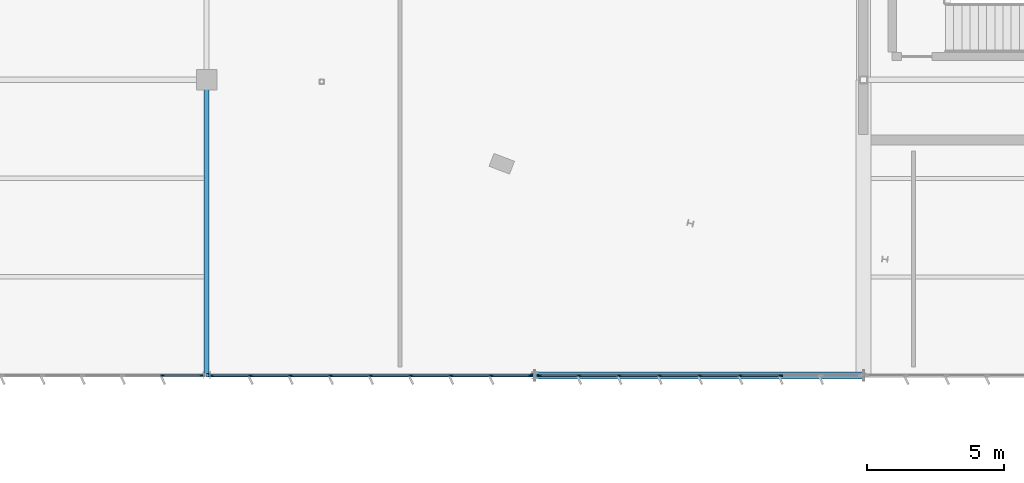
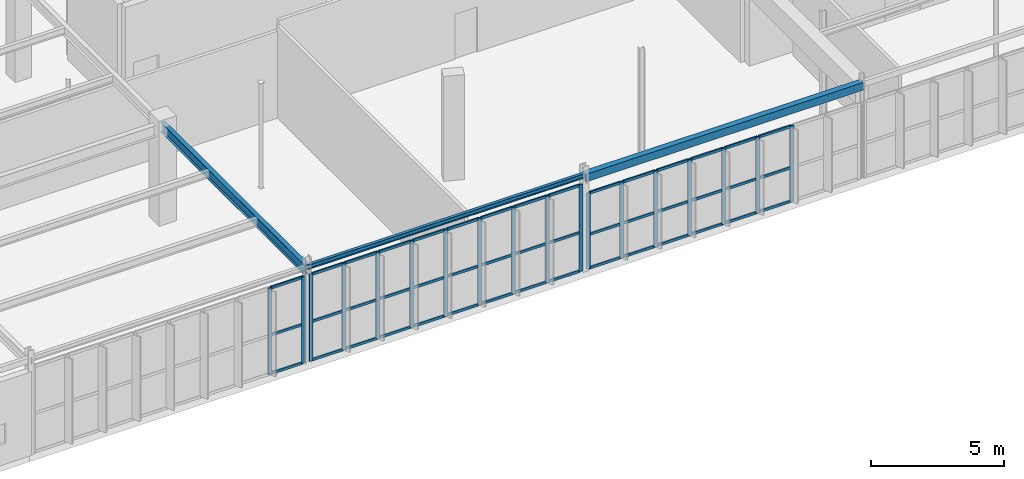
# One storey, part 71 of 199: 63 members, 3 beams, 3 elements without a shape of their own.
"""IFC4 building model written with IfcOpenShell, lengths in metres."""

from ifc_helpers import new_model, si_unit, direction, frame, origin, origin_2d, place, context, subcontext, project, spatial, rectangle, hollow_rectangle, i_section, extrude, material, layer, layer_set, material_profile, profile_set, type_object, element, aggregate, save


model = new_model("IFC4")

# Units and contexts
model_context = context("Model", 3, precision=1e-05, world=origin(), true_north=direction((0.0, 1.0)))
body_context = subcontext(model_context, "Body", "Model", "MODEL_VIEW")
ifc_project = project(units=[si_unit("LENGTHUNIT", "METRE"), si_unit("AREAUNIT", "SQUARE_METRE"), si_unit("VOLUMEUNIT", "CUBIC_METRE"), si_unit("PLANEANGLEUNIT", "RADIAN"), si_unit("MASSUNIT", "GRAM", prefix="KILO")], contexts=[model_context])

# Site, building, storey
site_placement = place(None, origin())
site = spatial("IfcSite", under=ifc_project, at=site_placement, CompositionType="ELEMENT")
building_placement = place(site_placement, origin())
building = spatial("IfcBuilding", under=site, at=building_placement, Name="Tarnwether General Hospital", CompositionType="ELEMENT")
storey_placement = place(building_placement, origin())
storey = spatial("IfcBuildingStorey", under=building, at=storey_placement, Name="L00", CompositionType="ELEMENT", Elevation=0.0)

# Beams
ifc_material_1 = material(Name="Steel Grade 350 (350 MPa)", Category="steel")
ifc_material_profile_1 = material_profile(ifc_material_1, i_section(OverallWidth=0.18994140625, OverallDepth=0.45703125, WebThickness=0.009033203125, FlangeThickness=0.014404296875, at=origin_2d()), Name="460UB74.6")
ifc_profile_set_1 = profile_set([ifc_material_profile_1], Name="Steel Grade 350 (350 MPa)")
beam_type_1 = type_object("IfcBeamType", Name="BM-G09", PredefinedType="BEAM", material=ifc_profile_set_1)
beam_1_placement = place(storey_placement, frame((60.0, 0.0, 4.216552734375), z_axis=(0.0, 1.0, 0.0), x_axis=(-1.0, 0.0, 0.0)))
element("IfcBeam", 1, at=beam_1_placement, inside=storey, type_object=beam_type_1, Name="Primary Girder BMG-L00-6000_0-6000_1080-0693", PredefinedType="BEAM", context=body_context, shape_type="SweptSolid", body=[
    extrude(i_section(OverallWidth=0.18994140625, OverallDepth=0.45703125, WebThickness=0.009033203125, FlangeThickness=0.014404296875, at=origin_2d()), origin(), (0.0, 0.0, 1.0), 10.800048828125),
])
ifc_material_2 = material(Name="Steel Grade 350 (350 MPa)", Category="steel")
ifc_material_profile_2 = material_profile(ifc_material_2, i_section(OverallWidth=0.133056640625, OverallDepth=0.201904296875, WebThickness=0.0048828125, FlangeThickness=0.007080078125, at=origin_2d()), Name="200UB22.3")
ifc_profile_set_2 = profile_set([ifc_material_profile_2], Name="Steel Grade 350 (350 MPa)")
beam_type_2 = type_object("IfcBeamType", Name="BM-SP6", PredefinedType="SPANDREL", material=ifc_profile_set_2)
beam_2_placement = place(storey_placement, frame((60.0, 0.0, 4.343994140625), z_axis=(1.0, 0.0, 0.0), x_axis=(0.0, 1.0, 0.0)))
element("IfcBeam", 2, at=beam_2_placement, inside=storey, type_object=beam_type_2, Name="Primary Girder BMG-L00-6000_0-7200_0-0692", PredefinedType="SPANDREL", context=body_context, shape_type="SweptSolid", body=[
    extrude(i_section(OverallWidth=0.133056640625, OverallDepth=0.201904296875, WebThickness=0.0048828125, FlangeThickness=0.007080078125, at=origin_2d()), origin(), (0.0, 0.0, 1.0), 12.0),
])
ifc_material_3 = material(Name="Steel Grade C350L0 (350 MPa)", Category="steel")
ifc_material_profile_3 = material_profile(ifc_material_3, hollow_rectangle(XDim=0.25, YDim=0.35009765625, WallThickness=0.012451171875, at=origin_2d()), Name="RHS350x250x12.5")
ifc_profile_set_3 = profile_set([ifc_material_profile_3], Name="Steel Grade C350L0 (350 MPa)")
beam_type_3 = type_object("IfcBeamType", Name="BM-SP7", PredefinedType="SPANDREL", material=ifc_profile_set_3)
beam_3_placement = place(storey_placement, frame((72.0, 0.0, 4.27001953125), z_axis=(1.0, 0.0, 0.0), x_axis=(0.0, 1.0, 0.0)))
element("IfcBeam", 3, at=beam_3_placement, inside=storey, type_object=beam_type_3, Name="Primary Girder BMG-L00-7200_0-8400_0-0709", PredefinedType="SPANDREL", context=body_context, shape_type="SweptSolid", body=[
    extrude(hollow_rectangle(XDim=0.25, YDim=0.35009765625, WallThickness=0.012451171875, at=origin_2d()), origin(), (0.0, 0.0, 1.0), 12.0),
])

# Curtain wall, members
ifc_material_4 = material(Name="Anodised aluminium", Category="aluminium")
ifc_layer = layer(ifc_material_4, 0.159912109375)
ifc_layer_set = layer_set([ifc_layer], Name="Anodised aluminium")
curtain_wall_type = type_object("IfcCurtainWallType", Name="CW-13", PredefinedType="NOTDEFINED", material=ifc_layer_set)
curtain_wall_1_placement = place(storey_placement, origin())
curtain_wall_1 = element("IfcCurtainWall", 4, at=curtain_wall_1_placement, inside=storey, type_object=curtain_wall_type, Name="Curtain Wall CWG-L00-839_0-0281", PredefinedType="NOTDEFINED")
ifc_material_5 = material(Name="Anodised aluminium", Category="aluminium")
ifc_material_profile_4 = material_profile(ifc_material_5, rectangle(XDim=0.06005859375, YDim=0.159912109375, at=origin_2d()), Name="ALU-MUL-60x160")
ifc_profile_set_4 = profile_set([ifc_material_profile_4], Name="Anodised aluminium")
member_type_1 = type_object("IfcMemberType", Name="CW-ML1", PredefinedType="MULLION", material=ifc_profile_set_4)
member_1_placement = place(storey_placement, frame((80.970703125, 0.0, 0.0), z_axis=(0.0, 0.0, 1.0), x_axis=(0.0, -1.0, 0.0)))
member_1 = element("IfcMember", 5, at=member_1_placement, type_object=member_type_1, Name="CW-13 mullion 3", PredefinedType="MULLION", context=body_context, shape_type="SweptSolid", body=[
    extrude(rectangle(XDim=0.06005859375, YDim=0.159912109375, at=origin_2d()), origin(), (0.0, 0.0, 1.0), 3.47998046875),
])
member_2_placement = place(storey_placement, frame((79.498046875, 0.0, 0.0), z_axis=(0.0, 0.0, 1.0), x_axis=(0.0, -1.0, 0.0)))
member_2 = element("IfcMember", 6, at=member_2_placement, type_object=member_type_1, Name="CW-13 mullion 4", PredefinedType="MULLION", context=body_context, shape_type="SweptSolid", body=[
    extrude(rectangle(XDim=0.06005859375, YDim=0.159912109375, at=origin_2d()), origin(), (0.0, 0.0, 1.0), 3.47998046875),
])
member_3_placement = place(storey_placement, frame((78.025390625, 0.0, 0.0), z_axis=(0.0, 0.0, 1.0), x_axis=(0.0, -1.0, 0.0)))
member_3 = element("IfcMember", 7, at=member_3_placement, type_object=member_type_1, Name="CW-13 mullion 5", PredefinedType="MULLION", context=body_context, shape_type="SweptSolid", body=[
    extrude(rectangle(XDim=0.06005859375, YDim=0.159912109375, at=origin_2d()), origin(), (0.0, 0.0, 1.0), 3.47998046875),
])
member_4_placement = place(storey_placement, frame((76.552978515625, 0.0, 0.0), z_axis=(0.0, 0.0, 1.0), x_axis=(0.0, -1.0, 0.0)))
member_4 = element("IfcMember", 8, at=member_4_placement, type_object=member_type_1, Name="CW-13 mullion 6", PredefinedType="MULLION", context=body_context, shape_type="SweptSolid", body=[
    extrude(rectangle(XDim=0.06005859375, YDim=0.159912109375, at=origin_2d()), origin(), (0.0, 0.0, 1.0), 3.47998046875),
])
member_5_placement = place(storey_placement, frame((75.080322265625, 0.0, 0.0), z_axis=(0.0, 0.0, 1.0), x_axis=(0.0, -1.0, 0.0)))
member_5 = element("IfcMember", 9, at=member_5_placement, type_object=member_type_1, Name="CW-13 mullion 7", PredefinedType="MULLION", context=body_context, shape_type="SweptSolid", body=[
    extrude(rectangle(XDim=0.06005859375, YDim=0.159912109375, at=origin_2d()), origin(), (0.0, 0.0, 1.0), 3.47998046875),
])
member_6_placement = place(storey_placement, frame((73.607666015625, 0.0, 0.0), z_axis=(0.0, 0.0, 1.0), x_axis=(0.0, -1.0, 0.0)))
member_6 = element("IfcMember", 10, at=member_6_placement, type_object=member_type_1, Name="CW-13 mullion 8", PredefinedType="MULLION", context=body_context, shape_type="SweptSolid", body=[
    extrude(rectangle(XDim=0.06005859375, YDim=0.159912109375, at=origin_2d()), origin(), (0.0, 0.0, 1.0), 3.47998046875),
])
member_7_placement = place(storey_placement, frame((72.1650390625, 0.0, 0.0), z_axis=(0.0, 0.0, 1.0), x_axis=(0.0, -1.0, 0.0)))
member_7 = element("IfcMember", 11, at=member_7_placement, type_object=member_type_1, Name="CW-13 mullion 9", PredefinedType="MULLION", context=body_context, shape_type="SweptSolid", body=[
    extrude(rectangle(XDim=0.06005859375, YDim=0.159912109375, at=origin_2d()), origin(), (0.0, 0.0, 1.0), 3.47998046875),
])

curtain_wall_2_placement = place(storey_placement, origin())
curtain_wall_2 = element("IfcCurtainWall", 12, at=curtain_wall_2_placement, inside=storey, type_object=curtain_wall_type, Name="Curtain Wall CWG-L00-719_0-0282", PredefinedType="NOTDEFINED")
member_8_placement = place(storey_placement, frame((71.8349609375, 0.0, 0.0), z_axis=(0.0, 0.0, 1.0), x_axis=(0.0, -1.0, 0.0)))
member_8 = element("IfcMember", 13, at=member_8_placement, type_object=member_type_1, Name="CW-13 mullion 1", PredefinedType="MULLION", context=body_context, shape_type="SweptSolid", body=[
    extrude(rectangle(XDim=0.06005859375, YDim=0.159912109375, at=origin_2d()), origin(), (0.0, 0.0, 1.0), 3.972900390625),
])
member_9_placement = place(storey_placement, frame((70.398681640625, 0.0, 0.0), z_axis=(0.0, 0.0, 1.0), x_axis=(0.0, -1.0, 0.0)))
member_9 = element("IfcMember", 14, at=member_9_placement, type_object=member_type_1, Name="CW-13 mullion 2", PredefinedType="MULLION", context=body_context, shape_type="SweptSolid", body=[
    extrude(rectangle(XDim=0.06005859375, YDim=0.159912109375, at=origin_2d()), origin(), (0.0, 0.0, 1.0), 3.972900390625),
])
member_10_placement = place(storey_placement, frame((68.9326171875, 0.0, 0.0), z_axis=(0.0, 0.0, 1.0), x_axis=(0.0, -1.0, 0.0)))
member_10 = element("IfcMember", 15, at=member_10_placement, type_object=member_type_1, Name="CW-13 mullion 3", PredefinedType="MULLION", context=body_context, shape_type="SweptSolid", body=[
    extrude(rectangle(XDim=0.06005859375, YDim=0.159912109375, at=origin_2d()), origin(), (0.0, 0.0, 1.0), 3.972900390625),
])
member_11_placement = place(storey_placement, frame((67.46630859375, 0.0, 0.0), z_axis=(0.0, 0.0, 1.0), x_axis=(0.0, -1.0, 0.0)))
member_11 = element("IfcMember", 16, at=member_11_placement, type_object=member_type_1, Name="CW-13 mullion 4", PredefinedType="MULLION", context=body_context, shape_type="SweptSolid", body=[
    extrude(rectangle(XDim=0.06005859375, YDim=0.159912109375, at=origin_2d()), origin(), (0.0, 0.0, 1.0), 3.972900390625),
])
member_12_placement = place(storey_placement, frame((66.0, 0.0, 0.0), z_axis=(0.0, 0.0, 1.0), x_axis=(0.0, -1.0, 0.0)))
member_12 = element("IfcMember", 17, at=member_12_placement, type_object=member_type_1, Name="CW-13 mullion 5", PredefinedType="MULLION", context=body_context, shape_type="SweptSolid", body=[
    extrude(rectangle(XDim=0.06005859375, YDim=0.159912109375, at=origin_2d()), origin(), (0.0, 0.0, 1.0), 3.972900390625),
])
member_13_placement = place(storey_placement, frame((64.53369140625, 0.0, 0.0), z_axis=(0.0, 0.0, 1.0), x_axis=(0.0, -1.0, 0.0)))
member_13 = element("IfcMember", 18, at=member_13_placement, type_object=member_type_1, Name="CW-13 mullion 6", PredefinedType="MULLION", context=body_context, shape_type="SweptSolid", body=[
    extrude(rectangle(XDim=0.06005859375, YDim=0.159912109375, at=origin_2d()), origin(), (0.0, 0.0, 1.0), 3.972900390625),
])
member_14_placement = place(storey_placement, frame((63.0673828125, 0.0, 0.0), z_axis=(0.0, 0.0, 1.0), x_axis=(0.0, -1.0, 0.0)))
member_14 = element("IfcMember", 19, at=member_14_placement, type_object=member_type_1, Name="CW-13 mullion 7", PredefinedType="MULLION", context=body_context, shape_type="SweptSolid", body=[
    extrude(rectangle(XDim=0.06005859375, YDim=0.159912109375, at=origin_2d()), origin(), (0.0, 0.0, 1.0), 3.972900390625),
])
member_15_placement = place(storey_placement, frame((61.601318359375, 0.0, 0.0), z_axis=(0.0, 0.0, 1.0), x_axis=(0.0, -1.0, 0.0)))
member_15 = element("IfcMember", 20, at=member_15_placement, type_object=member_type_1, Name="CW-13 mullion 8", PredefinedType="MULLION", context=body_context, shape_type="SweptSolid", body=[
    extrude(rectangle(XDim=0.06005859375, YDim=0.159912109375, at=origin_2d()), origin(), (0.0, 0.0, 1.0), 3.972900390625),
])
member_16_placement = place(storey_placement, frame((60.1650390625, 0.0, 0.0), z_axis=(0.0, 0.0, 1.0), x_axis=(0.0, -1.0, 0.0)))
member_16 = element("IfcMember", 21, at=member_16_placement, type_object=member_type_1, Name="CW-13 mullion 9", PredefinedType="MULLION", context=body_context, shape_type="SweptSolid", body=[
    extrude(rectangle(XDim=0.06005859375, YDim=0.159912109375, at=origin_2d()), origin(), (0.0, 0.0, 1.0), 3.972900390625),
])

curtain_wall_3_placement = place(storey_placement, origin())
curtain_wall_3 = element("IfcCurtainWall", 22, at=curtain_wall_3_placement, inside=storey, type_object=curtain_wall_type, Name="Curtain Wall CWG-L00-599_0-0283", PredefinedType="NOTDEFINED")
member_17_placement = place(storey_placement, frame((59.8349609375, 0.0, 0.0), z_axis=(0.0, 0.0, 1.0), x_axis=(0.0, -1.0, 0.0)))
member_17 = element("IfcMember", 23, at=member_17_placement, type_object=member_type_1, Name="CW-13 mullion 1", PredefinedType="MULLION", context=body_context, shape_type="SweptSolid", body=[
    extrude(rectangle(XDim=0.06005859375, YDim=0.159912109375, at=origin_2d()), origin(), (0.0, 0.0, 1.0), 3.969970703125),
])
member_18_placement = place(storey_placement, frame((58.398681640625, 0.0, 0.0), z_axis=(0.0, 0.0, 1.0), x_axis=(0.0, -1.0, 0.0)))
member_18 = element("IfcMember", 24, at=member_18_placement, type_object=member_type_1, Name="CW-13 mullion 2", PredefinedType="MULLION", context=body_context, shape_type="SweptSolid", body=[
    extrude(rectangle(XDim=0.06005859375, YDim=0.159912109375, at=origin_2d()), origin(), (0.0, 0.0, 1.0), 3.969970703125),
])

# Member
ifc_material_6 = material(Name="Anodised aluminium", Category="aluminium")
ifc_material_profile_5 = material_profile(ifc_material_6, rectangle(XDim=0.06005859375, YDim=0.1201171875, at=origin_2d()), Name="ALU-TRN-60x120")
ifc_profile_set_5 = profile_set([ifc_material_profile_5], Name="Anodised aluminium")
member_type_2 = type_object("IfcMemberType", Name="CW-TR1", PredefinedType="USERDEFINED", material=ifc_profile_set_5)
member_19_placement = place(storey_placement, frame((80.940673828125, 0.0, 0.030029296875), z_axis=(-1.0, 0.0, 0.0), x_axis=(0.0, -1.0, 0.0)))
member_19 = element("IfcMember", 25, at=member_19_placement, type_object=member_type_2, Name="CW-13 transom 3.1", ObjectType="TRANSOM", PredefinedType="USERDEFINED", context=body_context, shape_type="SweptSolid", body=[
    extrude(rectangle(XDim=0.06005859375, YDim=0.1201171875, at=origin_2d()), origin(), (0.0, 0.0, 1.0), 1.41259765625),
])

member_20_placement = place(storey_placement, frame((80.940673828125, 0.0, 1.56591796875), z_axis=(-1.0, 0.0, 0.0), x_axis=(0.0, -1.0, 0.0)))
member_20 = element("IfcMember", 26, at=member_20_placement, type_object=member_type_2, Name="CW-13 transom 3.2", ObjectType="TRANSOM", PredefinedType="USERDEFINED", context=body_context, shape_type="SweptSolid", body=[
    extrude(rectangle(XDim=0.06005859375, YDim=0.1201171875, at=origin_2d()), origin(), (0.0, 0.0, 1.0), 1.41259765625),
])

member_21_placement = place(storey_placement, frame((80.940673828125, 0.0, 3.449951171875), z_axis=(-1.0, 0.0, 0.0), x_axis=(0.0, -1.0, 0.0)))
member_21 = element("IfcMember", 27, at=member_21_placement, type_object=member_type_2, Name="CW-13 transom 3.3", ObjectType="TRANSOM", PredefinedType="USERDEFINED", context=body_context, shape_type="SweptSolid", body=[
    extrude(rectangle(XDim=0.06005859375, YDim=0.1201171875, at=origin_2d()), origin(), (0.0, 0.0, 1.0), 1.41259765625),
])

member_22_placement = place(storey_placement, frame((79.468017578125, 0.0, 0.030029296875), z_axis=(-1.0, 0.0, 0.0), x_axis=(0.0, -1.0, 0.0)))
member_22 = element("IfcMember", 28, at=member_22_placement, type_object=member_type_2, Name="CW-13 transom 4.1", ObjectType="TRANSOM", PredefinedType="USERDEFINED", context=body_context, shape_type="SweptSolid", body=[
    extrude(rectangle(XDim=0.06005859375, YDim=0.1201171875, at=origin_2d()), origin(), (0.0, 0.0, 1.0), 1.41259765625),
])

member_23_placement = place(storey_placement, frame((79.468017578125, 0.0, 1.56591796875), z_axis=(-1.0, 0.0, 0.0), x_axis=(0.0, -1.0, 0.0)))
member_23 = element("IfcMember", 29, at=member_23_placement, type_object=member_type_2, Name="CW-13 transom 4.2", ObjectType="TRANSOM", PredefinedType="USERDEFINED", context=body_context, shape_type="SweptSolid", body=[
    extrude(rectangle(XDim=0.06005859375, YDim=0.1201171875, at=origin_2d()), origin(), (0.0, 0.0, 1.0), 1.41259765625),
])

member_24_placement = place(storey_placement, frame((79.468017578125, 0.0, 3.449951171875), z_axis=(-1.0, 0.0, 0.0), x_axis=(0.0, -1.0, 0.0)))
member_24 = element("IfcMember", 30, at=member_24_placement, type_object=member_type_2, Name="CW-13 transom 4.3", ObjectType="TRANSOM", PredefinedType="USERDEFINED", context=body_context, shape_type="SweptSolid", body=[
    extrude(rectangle(XDim=0.06005859375, YDim=0.1201171875, at=origin_2d()), origin(), (0.0, 0.0, 1.0), 1.41259765625),
])

member_25_placement = place(storey_placement, frame((77.99560546875, 0.0, 0.030029296875), z_axis=(-1.0, 0.0, 0.0), x_axis=(0.0, -1.0, 0.0)))
member_25 = element("IfcMember", 31, at=member_25_placement, type_object=member_type_2, Name="CW-13 transom 5.1", ObjectType="TRANSOM", PredefinedType="USERDEFINED", context=body_context, shape_type="SweptSolid", body=[
    extrude(rectangle(XDim=0.06005859375, YDim=0.1201171875, at=origin_2d()), origin(), (0.0, 0.0, 1.0), 1.412841796875),
])

member_26_placement = place(storey_placement, frame((77.99560546875, 0.0, 1.56591796875), z_axis=(-1.0, 0.0, 0.0), x_axis=(0.0, -1.0, 0.0)))
member_26 = element("IfcMember", 32, at=member_26_placement, type_object=member_type_2, Name="CW-13 transom 5.2", ObjectType="TRANSOM", PredefinedType="USERDEFINED", context=body_context, shape_type="SweptSolid", body=[
    extrude(rectangle(XDim=0.06005859375, YDim=0.1201171875, at=origin_2d()), origin(), (0.0, 0.0, 1.0), 1.412841796875),
])

member_27_placement = place(storey_placement, frame((77.99560546875, 0.0, 3.449951171875), z_axis=(-1.0, 0.0, 0.0), x_axis=(0.0, -1.0, 0.0)))
member_27 = element("IfcMember", 33, at=member_27_placement, type_object=member_type_2, Name="CW-13 transom 5.3", ObjectType="TRANSOM", PredefinedType="USERDEFINED", context=body_context, shape_type="SweptSolid", body=[
    extrude(rectangle(XDim=0.06005859375, YDim=0.1201171875, at=origin_2d()), origin(), (0.0, 0.0, 1.0), 1.412841796875),
])

member_28_placement = place(storey_placement, frame((76.52294921875, 0.0, 0.030029296875), z_axis=(-1.0, 0.0, 0.0), x_axis=(0.0, -1.0, 0.0)))
member_28 = element("IfcMember", 34, at=member_28_placement, type_object=member_type_2, Name="CW-13 transom 6.1", ObjectType="TRANSOM", PredefinedType="USERDEFINED", context=body_context, shape_type="SweptSolid", body=[
    extrude(rectangle(XDim=0.06005859375, YDim=0.1201171875, at=origin_2d()), origin(), (0.0, 0.0, 1.0), 1.41259765625),
])

member_29_placement = place(storey_placement, frame((76.52294921875, 0.0, 1.56591796875), z_axis=(-1.0, 0.0, 0.0), x_axis=(0.0, -1.0, 0.0)))
member_29 = element("IfcMember", 35, at=member_29_placement, type_object=member_type_2, Name="CW-13 transom 6.2", ObjectType="TRANSOM", PredefinedType="USERDEFINED", context=body_context, shape_type="SweptSolid", body=[
    extrude(rectangle(XDim=0.06005859375, YDim=0.1201171875, at=origin_2d()), origin(), (0.0, 0.0, 1.0), 1.41259765625),
])

member_30_placement = place(storey_placement, frame((76.52294921875, 0.0, 3.449951171875), z_axis=(-1.0, 0.0, 0.0), x_axis=(0.0, -1.0, 0.0)))
member_30 = element("IfcMember", 36, at=member_30_placement, type_object=member_type_2, Name="CW-13 transom 6.3", ObjectType="TRANSOM", PredefinedType="USERDEFINED", context=body_context, shape_type="SweptSolid", body=[
    extrude(rectangle(XDim=0.06005859375, YDim=0.1201171875, at=origin_2d()), origin(), (0.0, 0.0, 1.0), 1.41259765625),
])

member_31_placement = place(storey_placement, frame((75.05029296875, 0.0, 0.030029296875), z_axis=(-1.0, 0.0, 0.0), x_axis=(0.0, -1.0, 0.0)))
member_31 = element("IfcMember", 37, at=member_31_placement, type_object=member_type_2, Name="CW-13 transom 7.1", ObjectType="TRANSOM", PredefinedType="USERDEFINED", context=body_context, shape_type="SweptSolid", body=[
    extrude(rectangle(XDim=0.06005859375, YDim=0.1201171875, at=origin_2d()), origin(), (0.0, 0.0, 1.0), 1.41259765625),
])

member_32_placement = place(storey_placement, frame((75.05029296875, 0.0, 1.56591796875), z_axis=(-1.0, 0.0, 0.0), x_axis=(0.0, -1.0, 0.0)))
member_32 = element("IfcMember", 38, at=member_32_placement, type_object=member_type_2, Name="CW-13 transom 7.2", ObjectType="TRANSOM", PredefinedType="USERDEFINED", context=body_context, shape_type="SweptSolid", body=[
    extrude(rectangle(XDim=0.06005859375, YDim=0.1201171875, at=origin_2d()), origin(), (0.0, 0.0, 1.0), 1.41259765625),
])

member_33_placement = place(storey_placement, frame((75.05029296875, 0.0, 3.449951171875), z_axis=(-1.0, 0.0, 0.0), x_axis=(0.0, -1.0, 0.0)))
member_33 = element("IfcMember", 39, at=member_33_placement, type_object=member_type_2, Name="CW-13 transom 7.3", ObjectType="TRANSOM", PredefinedType="USERDEFINED", context=body_context, shape_type="SweptSolid", body=[
    extrude(rectangle(XDim=0.06005859375, YDim=0.1201171875, at=origin_2d()), origin(), (0.0, 0.0, 1.0), 1.41259765625),
])

member_34_placement = place(storey_placement, frame((73.57763671875, 0.0, 0.030029296875), z_axis=(-1.0, 0.0, 0.0), x_axis=(0.0, -1.0, 0.0)))
member_34 = element("IfcMember", 40, at=member_34_placement, type_object=member_type_2, Name="CW-13 transom 8.1", ObjectType="TRANSOM", PredefinedType="USERDEFINED", context=body_context, shape_type="SweptSolid", body=[
    extrude(rectangle(XDim=0.06005859375, YDim=0.1201171875, at=origin_2d()), origin(), (0.0, 0.0, 1.0), 1.382568359375),
])

member_35_placement = place(storey_placement, frame((73.57763671875, 0.0, 1.56591796875), z_axis=(-1.0, 0.0, 0.0), x_axis=(0.0, -1.0, 0.0)))
member_35 = element("IfcMember", 41, at=member_35_placement, type_object=member_type_2, Name="CW-13 transom 8.2", ObjectType="TRANSOM", PredefinedType="USERDEFINED", context=body_context, shape_type="SweptSolid", body=[
    extrude(rectangle(XDim=0.06005859375, YDim=0.1201171875, at=origin_2d()), origin(), (0.0, 0.0, 1.0), 1.382568359375),
])

member_36_placement = place(storey_placement, frame((73.57763671875, 0.0, 3.449951171875), z_axis=(-1.0, 0.0, 0.0), x_axis=(0.0, -1.0, 0.0)))
member_36 = element("IfcMember", 42, at=member_36_placement, type_object=member_type_2, Name="CW-13 transom 8.3", ObjectType="TRANSOM", PredefinedType="USERDEFINED", context=body_context, shape_type="SweptSolid", body=[
    extrude(rectangle(XDim=0.06005859375, YDim=0.1201171875, at=origin_2d()), origin(), (0.0, 0.0, 1.0), 1.382568359375),
])

aggregate(curtain_wall_1, [member_1, member_2, member_3, member_4, member_5, member_6, member_7, member_19, member_20, member_21, member_22, member_23, member_24, member_25, member_26, member_27, member_28, member_29, member_30, member_31, member_32, member_33, member_34, member_35, member_36])

member_37_placement = place(storey_placement, frame((71.804931640625, 0.0, 0.030029296875), z_axis=(-1.0, 0.0, 0.0), x_axis=(0.0, -1.0, 0.0)))
member_37 = element("IfcMember", 43, at=member_37_placement, type_object=member_type_2, Name="CW-13 transom 1.1", ObjectType="TRANSOM", PredefinedType="USERDEFINED", context=body_context, shape_type="SweptSolid", body=[
    extrude(rectangle(XDim=0.06005859375, YDim=0.1201171875, at=origin_2d()), origin(), (0.0, 0.0, 1.0), 1.376220703125),
])

member_38_placement = place(storey_placement, frame((71.804931640625, 0.0, 1.787841796875), z_axis=(-1.0, 0.0, 0.0), x_axis=(0.0, -1.0, 0.0)))
member_38 = element("IfcMember", 44, at=member_38_placement, type_object=member_type_2, Name="CW-13 transom 1.2", ObjectType="TRANSOM", PredefinedType="USERDEFINED", context=body_context, shape_type="SweptSolid", body=[
    extrude(rectangle(XDim=0.06005859375, YDim=0.1201171875, at=origin_2d()), origin(), (0.0, 0.0, 1.0), 1.376220703125),
])

member_39_placement = place(storey_placement, frame((71.804931640625, 0.0, 3.943115234375), z_axis=(-1.0, 0.0, 0.0), x_axis=(0.0, -1.0, 0.0)))
member_39 = element("IfcMember", 45, at=member_39_placement, type_object=member_type_2, Name="CW-13 transom 1.3", ObjectType="TRANSOM", PredefinedType="USERDEFINED", context=body_context, shape_type="SweptSolid", body=[
    extrude(rectangle(XDim=0.06005859375, YDim=0.1201171875, at=origin_2d()), origin(), (0.0, 0.0, 1.0), 1.376220703125),
])

member_40_placement = place(storey_placement, frame((70.36865234375, 0.0, 0.030029296875), z_axis=(-1.0, 0.0, 0.0), x_axis=(0.0, -1.0, 0.0)))
member_40 = element("IfcMember", 46, at=member_40_placement, type_object=member_type_2, Name="CW-13 transom 2.1", ObjectType="TRANSOM", PredefinedType="USERDEFINED", context=body_context, shape_type="SweptSolid", body=[
    extrude(rectangle(XDim=0.06005859375, YDim=0.1201171875, at=origin_2d()), origin(), (0.0, 0.0, 1.0), 1.40625),
])

member_41_placement = place(storey_placement, frame((70.36865234375, 0.0, 1.787841796875), z_axis=(-1.0, 0.0, 0.0), x_axis=(0.0, -1.0, 0.0)))
member_41 = element("IfcMember", 47, at=member_41_placement, type_object=member_type_2, Name="CW-13 transom 2.2", ObjectType="TRANSOM", PredefinedType="USERDEFINED", context=body_context, shape_type="SweptSolid", body=[
    extrude(rectangle(XDim=0.06005859375, YDim=0.1201171875, at=origin_2d()), origin(), (0.0, 0.0, 1.0), 1.40625),
])

member_42_placement = place(storey_placement, frame((70.36865234375, 0.0, 3.943115234375), z_axis=(-1.0, 0.0, 0.0), x_axis=(0.0, -1.0, 0.0)))
member_42 = element("IfcMember", 48, at=member_42_placement, type_object=member_type_2, Name="CW-13 transom 2.3", ObjectType="TRANSOM", PredefinedType="USERDEFINED", context=body_context, shape_type="SweptSolid", body=[
    extrude(rectangle(XDim=0.06005859375, YDim=0.1201171875, at=origin_2d()), origin(), (0.0, 0.0, 1.0), 1.40625),
])

member_43_placement = place(storey_placement, frame((68.902587890625, 0.0, 0.030029296875), z_axis=(-1.0, 0.0, 0.0), x_axis=(0.0, -1.0, 0.0)))
member_43 = element("IfcMember", 49, at=member_43_placement, type_object=member_type_2, Name="CW-13 transom 3.1", ObjectType="TRANSOM", PredefinedType="USERDEFINED", context=body_context, shape_type="SweptSolid", body=[
    extrude(rectangle(XDim=0.06005859375, YDim=0.1201171875, at=origin_2d()), origin(), (0.0, 0.0, 1.0), 1.40625),
])

member_44_placement = place(storey_placement, frame((68.902587890625, 0.0, 1.787841796875), z_axis=(-1.0, 0.0, 0.0), x_axis=(0.0, -1.0, 0.0)))
member_44 = element("IfcMember", 50, at=member_44_placement, type_object=member_type_2, Name="CW-13 transom 3.2", ObjectType="TRANSOM", PredefinedType="USERDEFINED", context=body_context, shape_type="SweptSolid", body=[
    extrude(rectangle(XDim=0.06005859375, YDim=0.1201171875, at=origin_2d()), origin(), (0.0, 0.0, 1.0), 1.40625),
])

member_45_placement = place(storey_placement, frame((68.902587890625, 0.0, 3.943115234375), z_axis=(-1.0, 0.0, 0.0), x_axis=(0.0, -1.0, 0.0)))
member_45 = element("IfcMember", 51, at=member_45_placement, type_object=member_type_2, Name="CW-13 transom 3.3", ObjectType="TRANSOM", PredefinedType="USERDEFINED", context=body_context, shape_type="SweptSolid", body=[
    extrude(rectangle(XDim=0.06005859375, YDim=0.1201171875, at=origin_2d()), origin(), (0.0, 0.0, 1.0), 1.40625),
])

member_46_placement = place(storey_placement, frame((67.436279296875, 0.0, 0.030029296875), z_axis=(-1.0, 0.0, 0.0), x_axis=(0.0, -1.0, 0.0)))
member_46 = element("IfcMember", 52, at=member_46_placement, type_object=member_type_2, Name="CW-13 transom 4.1", ObjectType="TRANSOM", PredefinedType="USERDEFINED", context=body_context, shape_type="SweptSolid", body=[
    extrude(rectangle(XDim=0.06005859375, YDim=0.1201171875, at=origin_2d()), origin(), (0.0, 0.0, 1.0), 1.40625),
])

member_47_placement = place(storey_placement, frame((67.436279296875, 0.0, 1.787841796875), z_axis=(-1.0, 0.0, 0.0), x_axis=(0.0, -1.0, 0.0)))
member_47 = element("IfcMember", 53, at=member_47_placement, type_object=member_type_2, Name="CW-13 transom 4.2", ObjectType="TRANSOM", PredefinedType="USERDEFINED", context=body_context, shape_type="SweptSolid", body=[
    extrude(rectangle(XDim=0.06005859375, YDim=0.1201171875, at=origin_2d()), origin(), (0.0, 0.0, 1.0), 1.40625),
])

member_48_placement = place(storey_placement, frame((67.436279296875, 0.0, 3.943115234375), z_axis=(-1.0, 0.0, 0.0), x_axis=(0.0, -1.0, 0.0)))
member_48 = element("IfcMember", 54, at=member_48_placement, type_object=member_type_2, Name="CW-13 transom 4.3", ObjectType="TRANSOM", PredefinedType="USERDEFINED", context=body_context, shape_type="SweptSolid", body=[
    extrude(rectangle(XDim=0.06005859375, YDim=0.1201171875, at=origin_2d()), origin(), (0.0, 0.0, 1.0), 1.40625),
])

member_49_placement = place(storey_placement, frame((65.969970703125, 0.0, 0.030029296875), z_axis=(-1.0, 0.0, 0.0), x_axis=(0.0, -1.0, 0.0)))
member_49 = element("IfcMember", 55, at=member_49_placement, type_object=member_type_2, Name="CW-13 transom 5.1", ObjectType="TRANSOM", PredefinedType="USERDEFINED", context=body_context, shape_type="SweptSolid", body=[
    extrude(rectangle(XDim=0.06005859375, YDim=0.1201171875, at=origin_2d()), origin(), (0.0, 0.0, 1.0), 1.40625),
])

member_50_placement = place(storey_placement, frame((65.969970703125, 0.0, 1.787841796875), z_axis=(-1.0, 0.0, 0.0), x_axis=(0.0, -1.0, 0.0)))
member_50 = element("IfcMember", 56, at=member_50_placement, type_object=member_type_2, Name="CW-13 transom 5.2", ObjectType="TRANSOM", PredefinedType="USERDEFINED", context=body_context, shape_type="SweptSolid", body=[
    extrude(rectangle(XDim=0.06005859375, YDim=0.1201171875, at=origin_2d()), origin(), (0.0, 0.0, 1.0), 1.40625),
])

member_51_placement = place(storey_placement, frame((65.969970703125, 0.0, 3.943115234375), z_axis=(-1.0, 0.0, 0.0), x_axis=(0.0, -1.0, 0.0)))
member_51 = element("IfcMember", 57, at=member_51_placement, type_object=member_type_2, Name="CW-13 transom 5.3", ObjectType="TRANSOM", PredefinedType="USERDEFINED", context=body_context, shape_type="SweptSolid", body=[
    extrude(rectangle(XDim=0.06005859375, YDim=0.1201171875, at=origin_2d()), origin(), (0.0, 0.0, 1.0), 1.40625),
])

member_52_placement = place(storey_placement, frame((64.503662109375, 0.0, 0.030029296875), z_axis=(-1.0, 0.0, 0.0), x_axis=(0.0, -1.0, 0.0)))
member_52 = element("IfcMember", 58, at=member_52_placement, type_object=member_type_2, Name="CW-13 transom 6.1", ObjectType="TRANSOM", PredefinedType="USERDEFINED", context=body_context, shape_type="SweptSolid", body=[
    extrude(rectangle(XDim=0.06005859375, YDim=0.1201171875, at=origin_2d()), origin(), (0.0, 0.0, 1.0), 1.40625),
])

member_53_placement = place(storey_placement, frame((64.503662109375, 0.0, 1.787841796875), z_axis=(-1.0, 0.0, 0.0), x_axis=(0.0, -1.0, 0.0)))
member_53 = element("IfcMember", 59, at=member_53_placement, type_object=member_type_2, Name="CW-13 transom 6.2", ObjectType="TRANSOM", PredefinedType="USERDEFINED", context=body_context, shape_type="SweptSolid", body=[
    extrude(rectangle(XDim=0.06005859375, YDim=0.1201171875, at=origin_2d()), origin(), (0.0, 0.0, 1.0), 1.40625),
])

member_54_placement = place(storey_placement, frame((64.503662109375, 0.0, 3.943115234375), z_axis=(-1.0, 0.0, 0.0), x_axis=(0.0, -1.0, 0.0)))
member_54 = element("IfcMember", 60, at=member_54_placement, type_object=member_type_2, Name="CW-13 transom 6.3", ObjectType="TRANSOM", PredefinedType="USERDEFINED", context=body_context, shape_type="SweptSolid", body=[
    extrude(rectangle(XDim=0.06005859375, YDim=0.1201171875, at=origin_2d()), origin(), (0.0, 0.0, 1.0), 1.40625),
])

member_55_placement = place(storey_placement, frame((63.03759765625, 0.0, 0.030029296875), z_axis=(-1.0, 0.0, 0.0), x_axis=(0.0, -1.0, 0.0)))
member_55 = element("IfcMember", 61, at=member_55_placement, type_object=member_type_2, Name="CW-13 transom 7.1", ObjectType="TRANSOM", PredefinedType="USERDEFINED", context=body_context, shape_type="SweptSolid", body=[
    extrude(rectangle(XDim=0.06005859375, YDim=0.1201171875, at=origin_2d()), origin(), (0.0, 0.0, 1.0), 1.40625),
])

member_56_placement = place(storey_placement, frame((63.03759765625, 0.0, 1.787841796875), z_axis=(-1.0, 0.0, 0.0), x_axis=(0.0, -1.0, 0.0)))
member_56 = element("IfcMember", 62, at=member_56_placement, type_object=member_type_2, Name="CW-13 transom 7.2", ObjectType="TRANSOM", PredefinedType="USERDEFINED", context=body_context, shape_type="SweptSolid", body=[
    extrude(rectangle(XDim=0.06005859375, YDim=0.1201171875, at=origin_2d()), origin(), (0.0, 0.0, 1.0), 1.40625),
])

member_57_placement = place(storey_placement, frame((63.03759765625, 0.0, 3.943115234375), z_axis=(-1.0, 0.0, 0.0), x_axis=(0.0, -1.0, 0.0)))
member_57 = element("IfcMember", 63, at=member_57_placement, type_object=member_type_2, Name="CW-13 transom 7.3", ObjectType="TRANSOM", PredefinedType="USERDEFINED", context=body_context, shape_type="SweptSolid", body=[
    extrude(rectangle(XDim=0.06005859375, YDim=0.1201171875, at=origin_2d()), origin(), (0.0, 0.0, 1.0), 1.40625),
])

member_58_placement = place(storey_placement, frame((61.5712890625, 0.0, 0.030029296875), z_axis=(-1.0, 0.0, 0.0), x_axis=(0.0, -1.0, 0.0)))
member_58 = element("IfcMember", 64, at=member_58_placement, type_object=member_type_2, Name="CW-13 transom 8.1", ObjectType="TRANSOM", PredefinedType="USERDEFINED", context=body_context, shape_type="SweptSolid", body=[
    extrude(rectangle(XDim=0.06005859375, YDim=0.1201171875, at=origin_2d()), origin(), (0.0, 0.0, 1.0), 1.376220703125),
])

member_59_placement = place(storey_placement, frame((61.5712890625, 0.0, 1.787841796875), z_axis=(-1.0, 0.0, 0.0), x_axis=(0.0, -1.0, 0.0)))
member_59 = element("IfcMember", 65, at=member_59_placement, type_object=member_type_2, Name="CW-13 transom 8.2", ObjectType="TRANSOM", PredefinedType="USERDEFINED", context=body_context, shape_type="SweptSolid", body=[
    extrude(rectangle(XDim=0.06005859375, YDim=0.1201171875, at=origin_2d()), origin(), (0.0, 0.0, 1.0), 1.376220703125),
])

member_60_placement = place(storey_placement, frame((61.5712890625, 0.0, 3.943115234375), z_axis=(-1.0, 0.0, 0.0), x_axis=(0.0, -1.0, 0.0)))
member_60 = element("IfcMember", 66, at=member_60_placement, type_object=member_type_2, Name="CW-13 transom 8.3", ObjectType="TRANSOM", PredefinedType="USERDEFINED", context=body_context, shape_type="SweptSolid", body=[
    extrude(rectangle(XDim=0.06005859375, YDim=0.1201171875, at=origin_2d()), origin(), (0.0, 0.0, 1.0), 1.376220703125),
])

aggregate(curtain_wall_2, [member_8, member_9, member_10, member_11, member_12, member_13, member_14, member_15, member_16, member_37, member_38, member_39, member_40, member_41, member_42, member_43, member_44, member_45, member_46, member_47, member_48, member_49, member_50, member_51, member_52, member_53, member_54, member_55, member_56, member_57, member_58, member_59, member_60])

member_61_placement = place(storey_placement, frame((59.804931640625, 0.0, 0.030029296875), z_axis=(-1.0, 0.0, 0.0), x_axis=(0.0, -1.0, 0.0)))
member_61 = element("IfcMember", 67, at=member_61_placement, type_object=member_type_2, Name="CW-13 transom 1.1", ObjectType="TRANSOM", PredefinedType="USERDEFINED", context=body_context, shape_type="SweptSolid", body=[
    extrude(rectangle(XDim=0.06005859375, YDim=0.1201171875, at=origin_2d()), origin(), (0.0, 0.0, 1.0), 1.376220703125),
])

member_62_placement = place(storey_placement, frame((59.804931640625, 0.0, 1.78662109375), z_axis=(-1.0, 0.0, 0.0), x_axis=(0.0, -1.0, 0.0)))
member_62 = element("IfcMember", 68, at=member_62_placement, type_object=member_type_2, Name="CW-13 transom 1.2", ObjectType="TRANSOM", PredefinedType="USERDEFINED", context=body_context, shape_type="SweptSolid", body=[
    extrude(rectangle(XDim=0.06005859375, YDim=0.1201171875, at=origin_2d()), origin(), (0.0, 0.0, 1.0), 1.376220703125),
])

member_63_placement = place(storey_placement, frame((59.804931640625, 0.0, 3.93994140625), z_axis=(-1.0, 0.0, 0.0), x_axis=(0.0, -1.0, 0.0)))
member_63 = element("IfcMember", 69, at=member_63_placement, type_object=member_type_2, Name="CW-13 transom 1.3", ObjectType="TRANSOM", PredefinedType="USERDEFINED", context=body_context, shape_type="SweptSolid", body=[
    extrude(rectangle(XDim=0.06005859375, YDim=0.1201171875, at=origin_2d()), origin(), (0.0, 0.0, 1.0), 1.376220703125),
])

aggregate(curtain_wall_3, [member_17, member_18, member_61, member_62, member_63])

save(model, "model.ifc")
